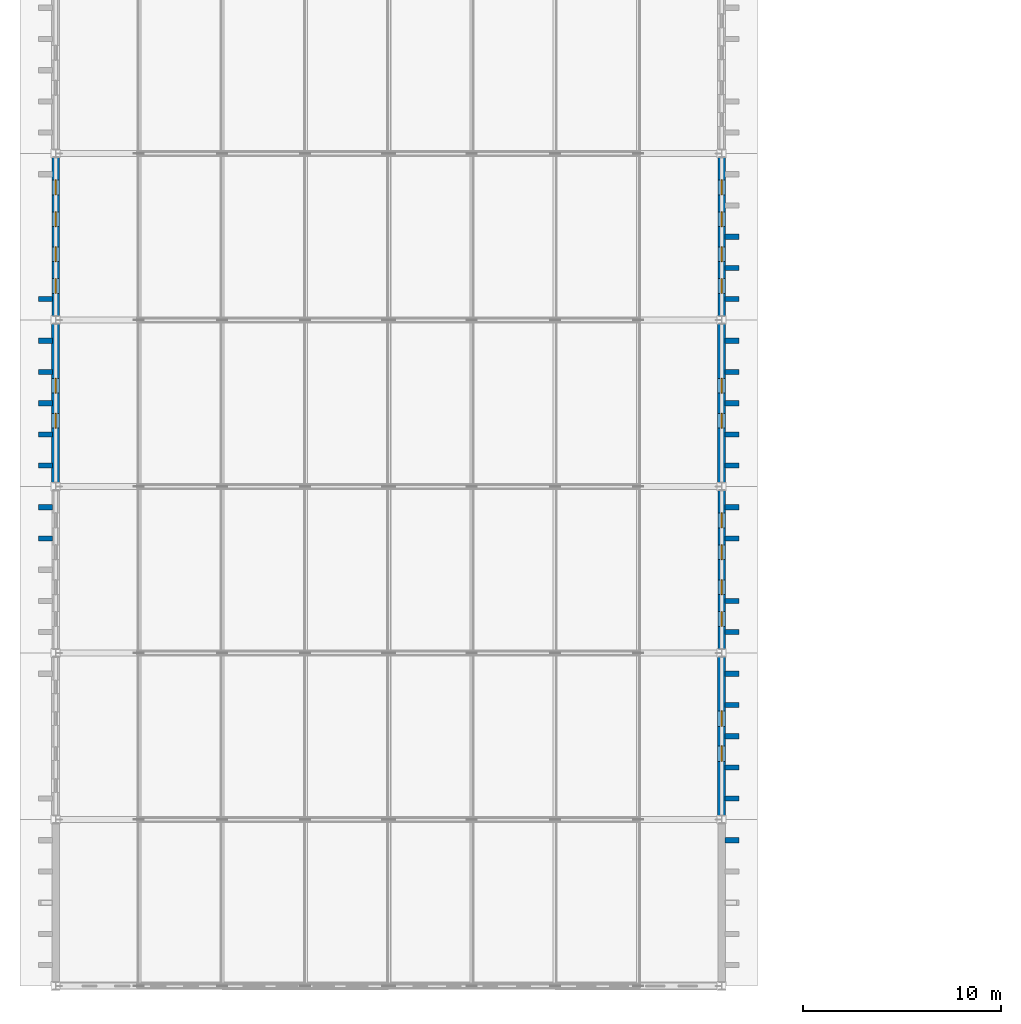
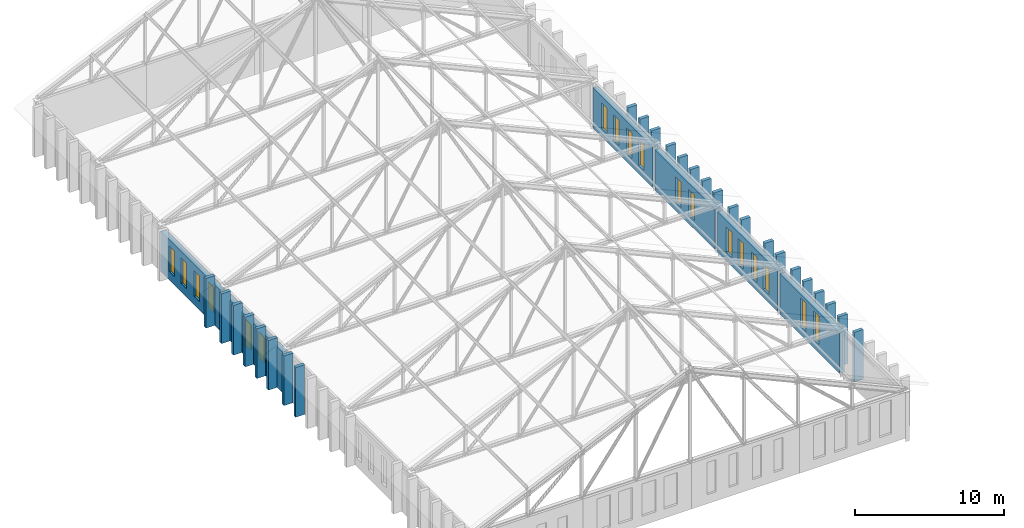
# One storey, part 83 of 110: 32 walls, 18 windows, 18 openings.
"""IFC4 building model written with IfcOpenShell, lengths in metres."""

import ifcopenshell
import ifcopenshell.guid

model = None  # the IFC model being written
_history = None  # IfcOwnerHistory: only IFC2X3 demands one
_inside = {}  # id of a spatial element -> (the spatial element, [elements in it])
_under = {}  # id of a project, library or spatial element -> (it, [spatial elements below it])
_declared = {}  # id of a project -> (the project, [libraries it declares])
_typed = {}  # id of a type object -> (the type object, [elements of that type])
_made_of = {}  # id of a material, layer set ... -> (it, [elements and type objects made of it])


def new_model(schema):
    """Start an empty IFC model of exactly this schema.

    Asked for "IFC4X3", IfcOpenShell would pick the latest addendum, in which some entities
    have other attributes; the version numbers below select the first issue.
    IFC2X3 requires an IfcOwnerHistory on every rooted entity: one is made here for all.
    """
    global model, _history
    if schema == "IFC4X3":
        model = ifcopenshell.file(schema_version=(4, 3, 0, 0))
    else:
        model = ifcopenshell.file(schema=schema)
    _inside.clear()
    _under.clear()
    _declared.clear()
    _typed.clear()
    _made_of.clear()
    _history = None
    if model.schema == "IFC2X3":
        org = make("IfcOrganization", Name="unknown")
        user = make(
            "IfcPersonAndOrganization",
            ThePerson=make("IfcPerson", FamilyName="unknown"),
            TheOrganization=org,
        )
        app = make(
            "IfcApplication",
            ApplicationDeveloper=org,
            Version="unknown",
            ApplicationFullName="unknown",
            ApplicationIdentifier="unknown",
        )
        _history = make(
            "IfcOwnerHistory",
            OwningUser=user,
            OwningApplication=app,
            ChangeAction="ADDED",
            CreationDate=0,
        )
    return model


def make(cls, **values):
    """One entity of the class cls with the attributes given. An attribute that is None is left unset."""
    return model.create_entity(
        cls, **{name: value for name, value in values.items() if value is not None}
    )


def rooted(cls, **values):
    """An entity with a GlobalId (a new one), such as an element, a storey or a relation."""
    return make(cls, GlobalId=ifcopenshell.guid.new(), OwnerHistory=_history, **values)


def si_unit(unit_type, name, prefix=None):
    """IfcSIUnit, for example si_unit("LENGTHUNIT", "METRE", prefix="MILLI")."""
    return make("IfcSIUnit", UnitType=unit_type, Prefix=prefix, Name=name)


def assignment(units):
    """IfcUnitAssignment: the units of a project."""
    return None if units is None else make("IfcUnitAssignment", Units=units)


def point(xyz):
    """IfcCartesianPoint."""
    return None if xyz is None else make("IfcCartesianPoint", Coordinates=xyz)


def direction(xyz):
    """IfcDirection."""
    return None if xyz is None else make("IfcDirection", DirectionRatios=xyz)


def frame(location, z_axis=None, x_axis=None):
    """IfcAxis2Placement3D, a coordinate frame: its origin and axes. An axis left out is left unset."""
    return make(
        "IfcAxis2Placement3D",
        Location=point(location),
        Axis=direction(z_axis),
        RefDirection=direction(x_axis),
    )


def frame_2d(location, x_axis=None):
    """IfcAxis2Placement2D, a coordinate frame in the plane: its origin and x axis."""
    return make(
        "IfcAxis2Placement2D", Location=point(location), RefDirection=direction(x_axis)
    )


def origin():
    """The frame at (0, 0, 0) with its axes left unset."""
    return frame((0.0, 0.0, 0.0))


def place(relative_to, where):
    """IfcLocalPlacement: puts the frame where relative to a parent placement (None: the world)."""
    return make(
        "IfcLocalPlacement", PlacementRelTo=relative_to, RelativePlacement=where
    )


def context(
    kind, dimensions, precision=None, world=None, true_north=None, identifier=None
):
    """IfcGeometricRepresentationContext, for example the 3D "Model" context."""
    return make(
        "IfcGeometricRepresentationContext",
        ContextIdentifier=identifier,
        ContextType=kind,
        CoordinateSpaceDimension=dimensions,
        Precision=precision,
        WorldCoordinateSystem=world,
        TrueNorth=true_north,
    )


def subcontext(parent, identifier, kind, view, scale=None):
    """IfcGeometricRepresentationSubContext, for example "Body" below "Model"."""
    return make(
        "IfcGeometricRepresentationSubContext",
        ContextIdentifier=identifier,
        ContextType=kind,
        ParentContext=parent,
        TargetScale=scale,
        TargetView=view,
    )


def project(units=None, contexts=None):
    """IfcProject with its units and contexts."""
    return rooted(
        "IfcProject",
        Name="project",
        RepresentationContexts=contexts,
        UnitsInContext=assignment(units),
    )


def spatial(cls, under=None, at=None, **own):
    """A site, building, storey or space (cls), placed at a placement, below another one or the project."""
    s = rooted(cls, ObjectPlacement=at, **own)
    if under is not None:
        _under.setdefault(under.id(), (under, []))[1].append(s)
    return s


def profile(cls, at=None, kind="AREA", **sizes):
    """A parametric profile (cls). Its sizes go by their IFC names, for example OverallWidth=200.0."""
    return make(cls, ProfileType=kind, Position=at, **sizes)


def rectangle(**sizes):
    """IfcRectangleProfileDef."""
    return profile("IfcRectangleProfileDef", **sizes)


def extrude(swept, where, along, depth):
    """IfcExtrudedAreaSolid: the profile swept, set in the frame where, extruded along a direction by depth."""
    return make(
        "IfcExtrudedAreaSolid",
        SweptArea=swept,
        Position=where,
        ExtrudedDirection=direction(along),
        Depth=depth,
    )


def shape(context_of_items, identifier, shape_type, items):
    """IfcShapeRepresentation: the items that make up one representation, for example the "Body"."""
    return make(
        "IfcShapeRepresentation",
        ContextOfItems=context_of_items,
        RepresentationIdentifier=identifier,
        RepresentationType=shape_type,
        Items=items,
    )


def material(Name=None, Category=None):
    """IfcMaterial."""
    return make("IfcMaterial", Name=Name, Category=Category)


def layer(
    of_material, thickness, ventilated=None, Name=None, Category=None, Priority=None
):
    """IfcMaterialLayer: one layer of a wall or slab, of a material (None: an air gap)."""
    return make(
        "IfcMaterialLayer",
        Material=of_material,
        LayerThickness=thickness,
        IsVentilated=ventilated,
        Name=Name,
        Category=Category,
        Priority=Priority,
    )


def layer_set(layers, Name=None):
    """IfcMaterialLayerSet."""
    return make("IfcMaterialLayerSet", MaterialLayers=layers, LayerSetName=Name)


def made_of(thing, what):
    """Note that an element or type object is made of a material, layer set ...; save() writes the relation."""
    if what is not None:
        _made_of.setdefault(what.id(), (what, []))[1].append(thing)
    return thing


def type_object(cls, material=None, **own):
    """A type object (cls), such as IfcWallType, which elements share."""
    return made_of(rooted(cls, **own), material)


def element(
    cls,
    number,
    at=None,
    inside=None,
    cuts=None,
    type_object=None,
    material=None,
    context=None,
    identifier="Body",
    shape_type=None,
    held_by="IfcProductDefinitionShape",
    body=None,
    shapes=None,
    **own,
):
    """One element of the class cls, such as IfcWall. Its Tag is "e" and its number.

    at: its placement. inside: the storey or other place that contains it. cuts: it is an
    opening in that element (IfcRelVoidsElement). A single representation is given by context,
    identifier, shape_type and body (its items); several are given by shapes. held_by: the class
    of the entity that holds the representations. save() writes the other relations.
    """
    e = rooted(cls, Tag="e%d" % number, ObjectPlacement=at, **own)
    if body is not None:
        shapes = [shape(context, identifier, shape_type, body)]
    if shapes is not None:
        e.Representation = make(held_by, Representations=shapes)
    if inside is not None:
        _inside.setdefault(inside.id(), (inside, []))[1].append(e)
    if cuts is not None:
        rooted(
            "IfcRelVoidsElement", RelatingBuildingElement=cuts, RelatedOpeningElement=e
        )
    if type_object is not None:
        _typed.setdefault(type_object.id(), (type_object, []))[1].append(e)
    return made_of(e, material)


def fill(opening, filler):
    """IfcRelFillsElement: the door or window that sits in an opening."""
    return rooted(
        "IfcRelFillsElement",
        RelatingOpeningElement=opening,
        RelatedBuildingElement=filler,
    )


def aggregate(whole, parts):
    """IfcRelAggregates: a whole, such as a stair, and the parts it consists of."""
    return rooted("IfcRelAggregates", RelatingObject=whole, RelatedObjects=parts)


def save(model, path):
    """Write the relations noted so far, then the file.

    IfcRelAggregates (storeys below a building ...), IfcRelContainedInSpatialStructure (elements
    in a storey), IfcRelDefinesByType, IfcRelAssociatesMaterial and IfcRelDeclares: one each for
    every whole, place, type object, material and project.
    """
    for whole, parts in _under.values():
        aggregate(whole, parts)
    for where, things in _inside.values():
        rooted(
            "IfcRelContainedInSpatialStructure",
            RelatedElements=things,
            RelatingStructure=where,
        )
    for kind, things in _typed.values():
        rooted("IfcRelDefinesByType", RelatedObjects=things, RelatingType=kind)
    for what, things in _made_of.values():
        rooted("IfcRelAssociatesMaterial", RelatedObjects=things, RelatingMaterial=what)
    for by, libraries in _declared.values():
        rooted("IfcRelDeclares", RelatingContext=by, RelatedDefinitions=libraries)
    model.write(path)


model = new_model("IFC4")

# Units and contexts
model_context = context("Model", 3, precision=1e-05, world=origin(), true_north=direction((0.0, 1.0)))
body_context = subcontext(model_context, "Body", "Model", "MODEL_VIEW")
ifc_project = project(units=[si_unit("LENGTHUNIT", "METRE"), si_unit("AREAUNIT", "SQUARE_METRE"), si_unit("VOLUMEUNIT", "CUBIC_METRE"), si_unit("PLANEANGLEUNIT", "RADIAN"), si_unit("MASSUNIT", "GRAM", prefix="KILO")], contexts=[model_context])

# Site, building, storey
site_placement = place(None, origin())
site = spatial("IfcSite", under=ifc_project, at=site_placement, CompositionType="ELEMENT")
building_placement = place(site_placement, origin())
building = spatial("IfcBuilding", under=site, at=building_placement, Name="Kveldsbrygga Polytechnic", CompositionType="ELEMENT")
storey_placement = place(building_placement, frame((0.0, 0.0, 9.860107421875)))
storey = spatial("IfcBuildingStorey", under=building, at=storey_placement, Name="L02", CompositionType="ELEMENT", Elevation=9.860107421875)

# Wall, openings, windows
ifc_material_1 = material(Name="Fired clay brick masonry M10", Category="masonry")
ifc_layer_1 = layer(ifc_material_1, 0.3798828125)
ifc_layer_set_1 = layer_set([ifc_layer_1], Name="Fired clay brick masonry M10")
wall_type_1 = type_object("IfcWallType", Name="EW-BRICK-380", PredefinedType="SOLIDWALL", material=ifc_layer_set_1)
wall_1_placement = place(storey_placement, frame((0.0, 58.985107421875, 0.0), z_axis=(0.0, 0.0, 1.0), x_axis=(0.0, 1.0, 0.0)))
wall_1 = element("IfcWall", 1, at=wall_1_placement, inside=storey, type_object=wall_type_1, Name="Exterior Brick Wall EW-L02-Y-00-07", PredefinedType="SOLIDWALL", context=body_context, shape_type="SweptSolid", body=[
    extrude(rectangle(XDim=8.02978515625, YDim=0.3798828125, at=frame_2d((4.014892578125, 0.0))), origin(), (0.0, 0.0, 1.0), 3.329833984375),
])
opening_1_placement = place(wall_1_placement, frame((1.150634765625, 0.0, 0.699951171875)))
opening_1 = element("IfcOpeningElement", 2, at=opening_1_placement, cuts=wall_1, Name="Opening W-27", PredefinedType="OPENING", context=body_context, shape_type="SweptSolid", body=[
    extrude(rectangle(XDim=0.75, YDim=2.10009765625, at=frame_2d((0.375, 1.050048828125))), frame((0.0, 0.199951171875, 0.0), z_axis=(0.0, -1.0, 0.0), x_axis=(1.0, 0.0, 0.0)), (0.0, 0.0, 1.0), 0.39990234375),
])
opening_2_placement = place(wall_1_placement, frame((2.756591796875, 0.0, 0.699951171875)))
opening_2 = element("IfcOpeningElement", 3, at=opening_2_placement, cuts=wall_1, Name="Opening W-27", PredefinedType="OPENING", context=body_context, shape_type="SweptSolid", body=[
    extrude(rectangle(XDim=0.75, YDim=2.10009765625, at=frame_2d((0.375, 1.050048828125))), frame((0.0, 0.199951171875, 0.0), z_axis=(0.0, -1.0, 0.0), x_axis=(1.0, 0.0, 0.0)), (0.0, 0.0, 1.0), 0.39990234375),
])
opening_3_placement = place(wall_1_placement, frame((4.523193359375, 0.0, 0.699951171875)))
opening_3 = element("IfcOpeningElement", 4, at=opening_3_placement, cuts=wall_1, Name="Opening W-27", PredefinedType="OPENING", context=body_context, shape_type="SweptSolid", body=[
    extrude(rectangle(XDim=0.75, YDim=2.10009765625, at=frame_2d((0.375, 1.050048828125))), frame((0.0, 0.199951171875, 0.0), z_axis=(0.0, -1.0, 0.0), x_axis=(1.0, 0.0, 0.0)), (0.0, 0.0, 1.0), 0.39990234375),
])
opening_4_placement = place(wall_1_placement, frame((6.12939453125, 0.0, 0.699951171875)))
opening_4 = element("IfcOpeningElement", 5, at=opening_4_placement, cuts=wall_1, Name="Opening W-27", PredefinedType="OPENING", context=body_context, shape_type="SweptSolid", body=[
    extrude(rectangle(XDim=0.75, YDim=2.10009765625, at=frame_2d((0.375, 1.050048828125))), frame((0.0, 0.199951171875, 0.0), z_axis=(0.0, -1.0, 0.0), x_axis=(1.0, 0.0, 0.0)), (0.0, 0.0, 1.0), 0.39990234375),
])
ifc_material_2 = material(Name="Insulated triple low-E glass", Category="glass")
window_type_1 = type_object("IfcWindowType", Name="WN-ATTIC-075x210", PartitioningType="DOUBLE_PANEL_VERTICAL", PredefinedType="WINDOW", material=ifc_material_2)
window_1_placement = place(opening_1_placement, origin())
window_1 = element("IfcWindow", 6, at=window_1_placement, inside=storey, type_object=window_type_1, Name="Gothic Lancet Window WIN-L02-Y-00-07-1", OverallHeight=2.10009765625, OverallWidth=0.75, PartitioningType="DOUBLE_PANEL_VERTICAL", PredefinedType="WINDOW", context=body_context, shape_type="SweptSolid", body=[
    extrude(rectangle(XDim=0.75, YDim=2.10009765625, at=frame_2d((0.375, 1.050048828125))), frame((0.0, 0.030029296875, 0.0), z_axis=(0.0, -1.0, 0.0), x_axis=(1.0, 0.0, 0.0)), (0.0, 0.0, 1.0), 0.06005859375),
])
fill(opening_1, window_1)
window_2_placement = place(opening_2_placement, origin())
window_2 = element("IfcWindow", 7, at=window_2_placement, inside=storey, type_object=window_type_1, Name="Gothic Lancet Window WIN-L02-Y-00-07-2", OverallHeight=2.10009765625, OverallWidth=0.75, PartitioningType="DOUBLE_PANEL_VERTICAL", PredefinedType="WINDOW", context=body_context, shape_type="SweptSolid", body=[
    extrude(rectangle(XDim=0.75, YDim=2.10009765625, at=frame_2d((0.375, 1.050048828125))), frame((0.0, 0.030029296875, 0.0), z_axis=(0.0, -1.0, 0.0), x_axis=(1.0, 0.0, 0.0)), (0.0, 0.0, 1.0), 0.06005859375),
])
fill(opening_2, window_2)
window_3_placement = place(opening_3_placement, origin())
window_3 = element("IfcWindow", 8, at=window_3_placement, inside=storey, type_object=window_type_1, Name="Gothic Lancet Window WIN-L02-Y-00-07-3", OverallHeight=2.10009765625, OverallWidth=0.75, PartitioningType="DOUBLE_PANEL_VERTICAL", PredefinedType="WINDOW", context=body_context, shape_type="SweptSolid", body=[
    extrude(rectangle(XDim=0.75, YDim=2.10009765625, at=frame_2d((0.375, 1.050048828125))), frame((0.0, 0.030029296875, 0.0), z_axis=(0.0, -1.0, 0.0), x_axis=(1.0, 0.0, 0.0)), (0.0, 0.0, 1.0), 0.06005859375),
])
fill(opening_3, window_3)
window_4_placement = place(opening_4_placement, origin())
window_4 = element("IfcWindow", 9, at=window_4_placement, inside=storey, type_object=window_type_1, Name="Gothic Lancet Window WIN-L02-Y-00-07-4", OverallHeight=2.10009765625, OverallWidth=0.75, PartitioningType="DOUBLE_PANEL_VERTICAL", PredefinedType="WINDOW", context=body_context, shape_type="SweptSolid", body=[
    extrude(rectangle(XDim=0.75, YDim=2.10009765625, at=frame_2d((0.375, 1.050048828125))), frame((0.0, 0.030029296875, 0.0), z_axis=(0.0, -1.0, 0.0), x_axis=(1.0, 0.0, 0.0)), (0.0, 0.0, 1.0), 0.06005859375),
])
fill(opening_4, window_4)

wall_2_placement = place(storey_placement, frame((33.60009765625, 42.18505859375, 0.0), z_axis=(0.0, 0.0, 1.0), x_axis=(0.0, 1.0, 0.0)))
wall_2 = element("IfcWall", 10, at=wall_2_placement, inside=storey, type_object=wall_type_1, Name="Exterior Brick Wall EW-L02-Y-04-05", PredefinedType="SOLIDWALL", context=body_context, shape_type="SweptSolid", body=[
    extrude(rectangle(XDim=8.030029296875, YDim=0.3798828125, at=frame_2d((4.01513671875, 0.0))), origin(), (0.0, 0.0, 1.0), 3.329833984375),
])
opening_5_placement = place(wall_2_placement, frame((1.150634765625, 0.0, 0.699951171875)))
opening_5 = element("IfcOpeningElement", 11, at=opening_5_placement, cuts=wall_2, Name="Opening W-27", PredefinedType="OPENING", context=body_context, shape_type="SweptSolid", body=[
    extrude(rectangle(XDim=0.75, YDim=2.10009765625, at=frame_2d((0.375, 1.050048828125))), frame((0.0, 0.199951171875, 0.0), z_axis=(0.0, -1.0, 0.0), x_axis=(1.0, 0.0, 0.0)), (0.0, 0.0, 1.0), 0.39990234375),
])
opening_6_placement = place(wall_2_placement, frame((2.756591796875, 0.0, 0.699951171875)))
opening_6 = element("IfcOpeningElement", 12, at=opening_6_placement, cuts=wall_2, Name="Opening W-27", PredefinedType="OPENING", context=body_context, shape_type="SweptSolid", body=[
    extrude(rectangle(XDim=0.75, YDim=2.10009765625, at=frame_2d((0.375, 1.050048828125))), frame((0.0, 0.199951171875, 0.0), z_axis=(0.0, -1.0, 0.0), x_axis=(1.0, 0.0, 0.0)), (0.0, 0.0, 1.0), 0.39990234375),
])
opening_7_placement = place(wall_2_placement, frame((4.523193359375, 0.0, 0.699951171875)))
opening_7 = element("IfcOpeningElement", 13, at=opening_7_placement, cuts=wall_2, Name="Opening W-27", PredefinedType="OPENING", context=body_context, shape_type="SweptSolid", body=[
    extrude(rectangle(XDim=0.75, YDim=2.10009765625, at=frame_2d((0.375, 1.050048828125))), frame((0.0, 0.199951171875, 0.0), z_axis=(0.0, -1.0, 0.0), x_axis=(1.0, 0.0, 0.0)), (0.0, 0.0, 1.0), 0.39990234375),
])
opening_8_placement = place(wall_2_placement, frame((6.12939453125, 0.0, 0.699951171875)))
opening_8 = element("IfcOpeningElement", 14, at=opening_8_placement, cuts=wall_2, Name="Opening W-27", PredefinedType="OPENING", context=body_context, shape_type="SweptSolid", body=[
    extrude(rectangle(XDim=0.75, YDim=2.10009765625, at=frame_2d((0.375, 1.050048828125))), frame((0.0, 0.199951171875, 0.0), z_axis=(0.0, -1.0, 0.0), x_axis=(1.0, 0.0, 0.0)), (0.0, 0.0, 1.0), 0.39990234375),
])
window_5_placement = place(opening_5_placement, origin())
window_5 = element("IfcWindow", 15, at=window_5_placement, inside=storey, type_object=window_type_1, Name="Gothic Lancet Window WIN-L02-Y-04-05-1", OverallHeight=2.10009765625, OverallWidth=0.75, PartitioningType="DOUBLE_PANEL_VERTICAL", PredefinedType="WINDOW", context=body_context, shape_type="SweptSolid", body=[
    extrude(rectangle(XDim=0.75, YDim=2.10009765625, at=frame_2d((0.375, 1.050048828125))), frame((0.0, 0.030029296875, 0.0), z_axis=(0.0, -1.0, 0.0), x_axis=(1.0, 0.0, 0.0)), (0.0, 0.0, 1.0), 0.06005859375),
])
fill(opening_5, window_5)
window_6_placement = place(opening_6_placement, origin())
window_6 = element("IfcWindow", 16, at=window_6_placement, inside=storey, type_object=window_type_1, Name="Gothic Lancet Window WIN-L02-Y-04-05-2", OverallHeight=2.10009765625, OverallWidth=0.75, PartitioningType="DOUBLE_PANEL_VERTICAL", PredefinedType="WINDOW", context=body_context, shape_type="SweptSolid", body=[
    extrude(rectangle(XDim=0.75, YDim=2.10009765625, at=frame_2d((0.375, 1.050048828125))), frame((0.0, 0.030029296875, 0.0), z_axis=(0.0, -1.0, 0.0), x_axis=(1.0, 0.0, 0.0)), (0.0, 0.0, 1.0), 0.06005859375),
])
fill(opening_6, window_6)
window_7_placement = place(opening_7_placement, origin())
window_7 = element("IfcWindow", 17, at=window_7_placement, inside=storey, type_object=window_type_1, Name="Gothic Lancet Window WIN-L02-Y-04-05-3", OverallHeight=2.10009765625, OverallWidth=0.75, PartitioningType="DOUBLE_PANEL_VERTICAL", PredefinedType="WINDOW", context=body_context, shape_type="SweptSolid", body=[
    extrude(rectangle(XDim=0.75, YDim=2.10009765625, at=frame_2d((0.375, 1.050048828125))), frame((0.0, 0.030029296875, 0.0), z_axis=(0.0, -1.0, 0.0), x_axis=(1.0, 0.0, 0.0)), (0.0, 0.0, 1.0), 0.06005859375),
])
fill(opening_7, window_7)
window_8_placement = place(opening_8_placement, origin())
window_8 = element("IfcWindow", 18, at=window_8_placement, inside=storey, type_object=window_type_1, Name="Gothic Lancet Window WIN-L02-Y-04-05-4", OverallHeight=2.10009765625, OverallWidth=0.75, PartitioningType="DOUBLE_PANEL_VERTICAL", PredefinedType="WINDOW", context=body_context, shape_type="SweptSolid", body=[
    extrude(rectangle(XDim=0.75, YDim=2.10009765625, at=frame_2d((0.375, 1.050048828125))), frame((0.0, 0.030029296875, 0.0), z_axis=(0.0, -1.0, 0.0), x_axis=(1.0, 0.0, 0.0)), (0.0, 0.0, 1.0), 0.06005859375),
])
fill(opening_8, window_8)

wall_3_placement = place(storey_placement, frame((33.60009765625, 58.985107421875, 0.0), z_axis=(0.0, 0.0, 1.0), x_axis=(0.0, 1.0, 0.0)))
wall_3 = element("IfcWall", 19, at=wall_3_placement, inside=storey, type_object=wall_type_1, Name="Exterior Brick Wall EW-L02-Y-04-07", PredefinedType="SOLIDWALL", context=body_context, shape_type="SweptSolid", body=[
    extrude(rectangle(XDim=8.02978515625, YDim=0.3798828125, at=frame_2d((4.014892578125, 0.0))), origin(), (0.0, 0.0, 1.0), 3.329833984375),
])
opening_9_placement = place(wall_3_placement, frame((1.150634765625, 0.0, 0.699951171875)))
opening_9 = element("IfcOpeningElement", 20, at=opening_9_placement, cuts=wall_3, Name="Opening W-27", PredefinedType="OPENING", context=body_context, shape_type="SweptSolid", body=[
    extrude(rectangle(XDim=0.75, YDim=2.10009765625, at=frame_2d((0.375, 1.050048828125))), frame((0.0, 0.199951171875, 0.0), z_axis=(0.0, -1.0, 0.0), x_axis=(1.0, 0.0, 0.0)), (0.0, 0.0, 1.0), 0.39990234375),
])
opening_10_placement = place(wall_3_placement, frame((2.756591796875, 0.0, 0.699951171875)))
opening_10 = element("IfcOpeningElement", 21, at=opening_10_placement, cuts=wall_3, Name="Opening W-27", PredefinedType="OPENING", context=body_context, shape_type="SweptSolid", body=[
    extrude(rectangle(XDim=0.75, YDim=2.10009765625, at=frame_2d((0.375, 1.050048828125))), frame((0.0, 0.199951171875, 0.0), z_axis=(0.0, -1.0, 0.0), x_axis=(1.0, 0.0, 0.0)), (0.0, 0.0, 1.0), 0.39990234375),
])
opening_11_placement = place(wall_3_placement, frame((4.523193359375, 0.0, 0.699951171875)))
opening_11 = element("IfcOpeningElement", 22, at=opening_11_placement, cuts=wall_3, Name="Opening W-27", PredefinedType="OPENING", context=body_context, shape_type="SweptSolid", body=[
    extrude(rectangle(XDim=0.75, YDim=2.10009765625, at=frame_2d((0.375, 1.050048828125))), frame((0.0, 0.199951171875, 0.0), z_axis=(0.0, -1.0, 0.0), x_axis=(1.0, 0.0, 0.0)), (0.0, 0.0, 1.0), 0.39990234375),
])
opening_12_placement = place(wall_3_placement, frame((6.12939453125, 0.0, 0.699951171875)))
opening_12 = element("IfcOpeningElement", 23, at=opening_12_placement, cuts=wall_3, Name="Opening W-27", PredefinedType="OPENING", context=body_context, shape_type="SweptSolid", body=[
    extrude(rectangle(XDim=0.75, YDim=2.10009765625, at=frame_2d((0.375, 1.050048828125))), frame((0.0, 0.199951171875, 0.0), z_axis=(0.0, -1.0, 0.0), x_axis=(1.0, 0.0, 0.0)), (0.0, 0.0, 1.0), 0.39990234375),
])
window_9_placement = place(opening_9_placement, origin())
window_9 = element("IfcWindow", 24, at=window_9_placement, inside=storey, type_object=window_type_1, Name="Gothic Lancet Window WIN-L02-Y-04-07-1", OverallHeight=2.10009765625, OverallWidth=0.75, PartitioningType="DOUBLE_PANEL_VERTICAL", PredefinedType="WINDOW", context=body_context, shape_type="SweptSolid", body=[
    extrude(rectangle(XDim=0.75, YDim=2.10009765625, at=frame_2d((0.375, 1.050048828125))), frame((0.0, 0.030029296875, 0.0), z_axis=(0.0, -1.0, 0.0), x_axis=(1.0, 0.0, 0.0)), (0.0, 0.0, 1.0), 0.06005859375),
])
fill(opening_9, window_9)
window_10_placement = place(opening_10_placement, origin())
window_10 = element("IfcWindow", 25, at=window_10_placement, inside=storey, type_object=window_type_1, Name="Gothic Lancet Window WIN-L02-Y-04-07-2", OverallHeight=2.10009765625, OverallWidth=0.75, PartitioningType="DOUBLE_PANEL_VERTICAL", PredefinedType="WINDOW", context=body_context, shape_type="SweptSolid", body=[
    extrude(rectangle(XDim=0.75, YDim=2.10009765625, at=frame_2d((0.375, 1.050048828125))), frame((0.0, 0.030029296875, 0.0), z_axis=(0.0, -1.0, 0.0), x_axis=(1.0, 0.0, 0.0)), (0.0, 0.0, 1.0), 0.06005859375),
])
fill(opening_10, window_10)
window_11_placement = place(opening_11_placement, origin())
window_11 = element("IfcWindow", 26, at=window_11_placement, inside=storey, type_object=window_type_1, Name="Gothic Lancet Window WIN-L02-Y-04-07-3", OverallHeight=2.10009765625, OverallWidth=0.75, PartitioningType="DOUBLE_PANEL_VERTICAL", PredefinedType="WINDOW", context=body_context, shape_type="SweptSolid", body=[
    extrude(rectangle(XDim=0.75, YDim=2.10009765625, at=frame_2d((0.375, 1.050048828125))), frame((0.0, 0.030029296875, 0.0), z_axis=(0.0, -1.0, 0.0), x_axis=(1.0, 0.0, 0.0)), (0.0, 0.0, 1.0), 0.06005859375),
])
fill(opening_11, window_11)
window_12_placement = place(opening_12_placement, origin())
window_12 = element("IfcWindow", 27, at=window_12_placement, inside=storey, type_object=window_type_1, Name="Gothic Lancet Window WIN-L02-Y-04-07-4", OverallHeight=2.10009765625, OverallWidth=0.75, PartitioningType="DOUBLE_PANEL_VERTICAL", PredefinedType="WINDOW", context=body_context, shape_type="SweptSolid", body=[
    extrude(rectangle(XDim=0.75, YDim=2.10009765625, at=frame_2d((0.375, 1.050048828125))), frame((0.0, 0.030029296875, 0.0), z_axis=(0.0, -1.0, 0.0), x_axis=(1.0, 0.0, 0.0)), (0.0, 0.0, 1.0), 0.06005859375),
])
fill(opening_12, window_12)

ifc_layer_2 = layer(ifc_material_1, 0.39990234375)
ifc_layer_set_2 = layer_set([ifc_layer_2], Name="Fired clay brick masonry M10")
wall_type_2 = type_object("IfcWallType", Name="EW-BRICK-400", PredefinedType="SOLIDWALL", material=ifc_layer_set_2)
wall_4_placement = place(storey_placement, frame((0.0, 50.5849609375, 0.0), z_axis=(0.0, 0.0, 1.0), x_axis=(0.0, 1.0, 0.0)))
wall_4 = element("IfcWall", 28, at=wall_4_placement, inside=storey, type_object=wall_type_2, Name="Exterior Brick Wall EW-L02-Y-00-06", PredefinedType="SOLIDWALL", context=body_context, shape_type="SweptSolid", body=[
    extrude(rectangle(XDim=8.030029296875, YDim=0.39990234375, at=frame_2d((4.01513671875, 0.0))), origin(), (0.0, 0.0, 1.0), 3.329833984375),
])
opening_13_placement = place(wall_4_placement, frame((2.756591796875, 0.0, 0.699951171875)))
opening_13 = element("IfcOpeningElement", 29, at=opening_13_placement, cuts=wall_4, Name="Opening W-27", PredefinedType="OPENING", context=body_context, shape_type="SweptSolid", body=[
    extrude(rectangle(XDim=0.75, YDim=2.10009765625, at=frame_2d((0.375, 1.050048828125))), frame((0.0, 0.2099609375, 0.0), z_axis=(0.0, -1.0, 0.0), x_axis=(1.0, 0.0, 0.0)), (0.0, 0.0, 1.0), 0.419921875),
])
opening_14_placement = place(wall_4_placement, frame((4.523193359375, 0.0, 0.699951171875)))
opening_14 = element("IfcOpeningElement", 30, at=opening_14_placement, cuts=wall_4, Name="Opening W-27", PredefinedType="OPENING", context=body_context, shape_type="SweptSolid", body=[
    extrude(rectangle(XDim=0.75, YDim=2.10009765625, at=frame_2d((0.375, 1.050048828125))), frame((0.0, 0.2099609375, 0.0), z_axis=(0.0, -1.0, 0.0), x_axis=(1.0, 0.0, 0.0)), (0.0, 0.0, 1.0), 0.419921875),
])
window_13_placement = place(opening_13_placement, origin())
window_13 = element("IfcWindow", 31, at=window_13_placement, inside=storey, type_object=window_type_1, Name="Gothic Lancet Window WIN-L02-Y-00-06-2", OverallHeight=2.10009765625, OverallWidth=0.75, PartitioningType="DOUBLE_PANEL_VERTICAL", PredefinedType="WINDOW", context=body_context, shape_type="SweptSolid", body=[
    extrude(rectangle(XDim=0.75, YDim=2.10009765625, at=frame_2d((0.375, 1.050048828125))), frame((0.0, 0.030029296875, 0.0), z_axis=(0.0, -1.0, 0.0), x_axis=(1.0, 0.0, 0.0)), (0.0, 0.0, 1.0), 0.06005859375),
])
fill(opening_13, window_13)
window_14_placement = place(opening_14_placement, origin())
window_14 = element("IfcWindow", 32, at=window_14_placement, inside=storey, type_object=window_type_1, Name="Gothic Lancet Window WIN-L02-Y-00-06-3", OverallHeight=2.10009765625, OverallWidth=0.75, PartitioningType="DOUBLE_PANEL_VERTICAL", PredefinedType="WINDOW", context=body_context, shape_type="SweptSolid", body=[
    extrude(rectangle(XDim=0.75, YDim=2.10009765625, at=frame_2d((0.375, 1.050048828125))), frame((0.0, 0.030029296875, 0.0), z_axis=(0.0, -1.0, 0.0), x_axis=(1.0, 0.0, 0.0)), (0.0, 0.0, 1.0), 0.06005859375),
])
fill(opening_14, window_14)

wall_5_placement = place(storey_placement, frame((33.60009765625, 33.784912109375, 0.0), z_axis=(0.0, 0.0, 1.0), x_axis=(0.0, 1.0, 0.0)))
wall_5 = element("IfcWall", 33, at=wall_5_placement, inside=storey, type_object=wall_type_2, Name="Exterior Brick Wall EW-L02-Y-04-04", PredefinedType="SOLIDWALL", context=body_context, shape_type="SweptSolid", body=[
    extrude(rectangle(XDim=8.030029296875, YDim=0.39990234375, at=frame_2d((4.01513671875, 0.0))), origin(), (0.0, 0.0, 1.0), 3.329833984375),
])
opening_15_placement = place(wall_5_placement, frame((2.74169921875, 0.0, 0.699951171875)))
opening_15 = element("IfcOpeningElement", 34, at=opening_15_placement, cuts=wall_5, Name="Opening W-08", PredefinedType="OPENING", context=body_context, shape_type="SweptSolid", body=[
    extrude(rectangle(XDim=0.780029296875, YDim=2.35009765625, at=frame_2d((0.39013671875, 1.175048828125))), frame((0.0, 0.2099609375, 0.0), z_axis=(0.0, -1.0, 0.0), x_axis=(1.0, 0.0, 0.0)), (0.0, 0.0, 1.0), 0.419921875),
])
opening_16_placement = place(wall_5_placement, frame((4.50830078125, 0.0, 0.699951171875)))
opening_16 = element("IfcOpeningElement", 35, at=opening_16_placement, cuts=wall_5, Name="Opening W-08", PredefinedType="OPENING", context=body_context, shape_type="SweptSolid", body=[
    extrude(rectangle(XDim=0.780029296875, YDim=2.35009765625, at=frame_2d((0.39013671875, 1.175048828125))), frame((0.0, 0.2099609375, 0.0), z_axis=(0.0, -1.0, 0.0), x_axis=(1.0, 0.0, 0.0)), (0.0, 0.0, 1.0), 0.419921875),
])
window_type_2 = type_object("IfcWindowType", Name="WN-LANC-078x235", PartitioningType="DOUBLE_PANEL_VERTICAL", PredefinedType="WINDOW", material=ifc_material_2)
window_15_placement = place(opening_15_placement, origin())
window_15 = element("IfcWindow", 36, at=window_15_placement, inside=storey, type_object=window_type_2, Name="Gothic Lancet Window WIN-L02-Y-04-04-2", OverallHeight=2.35009765625, OverallWidth=0.780029296875, PartitioningType="DOUBLE_PANEL_VERTICAL", PredefinedType="WINDOW", context=body_context, shape_type="SweptSolid", body=[
    extrude(rectangle(XDim=0.780029296875, YDim=2.35009765625, at=frame_2d((0.39013671875, 1.175048828125))), frame((0.0, 0.030029296875, 0.0), z_axis=(0.0, -1.0, 0.0), x_axis=(1.0, 0.0, 0.0)), (0.0, 0.0, 1.0), 0.06005859375),
])
fill(opening_15, window_15)
window_16_placement = place(opening_16_placement, origin())
window_16 = element("IfcWindow", 37, at=window_16_placement, inside=storey, type_object=window_type_2, Name="Gothic Lancet Window WIN-L02-Y-04-04-3", OverallHeight=2.35009765625, OverallWidth=0.780029296875, PartitioningType="DOUBLE_PANEL_VERTICAL", PredefinedType="WINDOW", context=body_context, shape_type="SweptSolid", body=[
    extrude(rectangle(XDim=0.780029296875, YDim=2.35009765625, at=frame_2d((0.39013671875, 1.175048828125))), frame((0.0, 0.030029296875, 0.0), z_axis=(0.0, -1.0, 0.0), x_axis=(1.0, 0.0, 0.0)), (0.0, 0.0, 1.0), 0.06005859375),
])
fill(opening_16, window_16)

wall_6_placement = place(storey_placement, frame((33.60009765625, 50.5849609375, 0.0), z_axis=(0.0, 0.0, 1.0), x_axis=(0.0, 1.0, 0.0)))
wall_6 = element("IfcWall", 38, at=wall_6_placement, inside=storey, type_object=wall_type_2, Name="Exterior Brick Wall EW-L02-Y-04-06", PredefinedType="SOLIDWALL", context=body_context, shape_type="SweptSolid", body=[
    extrude(rectangle(XDim=8.030029296875, YDim=0.39990234375, at=frame_2d((4.01513671875, 0.0))), origin(), (0.0, 0.0, 1.0), 3.329833984375),
])
opening_17_placement = place(wall_6_placement, frame((2.756591796875, 0.0, 0.699951171875)))
opening_17 = element("IfcOpeningElement", 39, at=opening_17_placement, cuts=wall_6, Name="Opening W-27", PredefinedType="OPENING", context=body_context, shape_type="SweptSolid", body=[
    extrude(rectangle(XDim=0.75, YDim=2.10009765625, at=frame_2d((0.375, 1.050048828125))), frame((0.0, 0.2099609375, 0.0), z_axis=(0.0, -1.0, 0.0), x_axis=(1.0, 0.0, 0.0)), (0.0, 0.0, 1.0), 0.419921875),
])
opening_18_placement = place(wall_6_placement, frame((4.523193359375, 0.0, 0.699951171875)))
opening_18 = element("IfcOpeningElement", 40, at=opening_18_placement, cuts=wall_6, Name="Opening W-27", PredefinedType="OPENING", context=body_context, shape_type="SweptSolid", body=[
    extrude(rectangle(XDim=0.75, YDim=2.10009765625, at=frame_2d((0.375, 1.050048828125))), frame((0.0, 0.2099609375, 0.0), z_axis=(0.0, -1.0, 0.0), x_axis=(1.0, 0.0, 0.0)), (0.0, 0.0, 1.0), 0.419921875),
])
window_17_placement = place(opening_17_placement, origin())
window_17 = element("IfcWindow", 41, at=window_17_placement, inside=storey, type_object=window_type_1, Name="Gothic Lancet Window WIN-L02-Y-04-06-2", OverallHeight=2.10009765625, OverallWidth=0.75, PartitioningType="DOUBLE_PANEL_VERTICAL", PredefinedType="WINDOW", context=body_context, shape_type="SweptSolid", body=[
    extrude(rectangle(XDim=0.75, YDim=2.10009765625, at=frame_2d((0.375, 1.050048828125))), frame((0.0, 0.030029296875, 0.0), z_axis=(0.0, -1.0, 0.0), x_axis=(1.0, 0.0, 0.0)), (0.0, 0.0, 1.0), 0.06005859375),
])
fill(opening_17, window_17)
window_18_placement = place(opening_18_placement, origin())
window_18 = element("IfcWindow", 42, at=window_18_placement, inside=storey, type_object=window_type_1, Name="Gothic Lancet Window WIN-L02-Y-04-06-3", OverallHeight=2.10009765625, OverallWidth=0.75, PartitioningType="DOUBLE_PANEL_VERTICAL", PredefinedType="WINDOW", context=body_context, shape_type="SweptSolid", body=[
    extrude(rectangle(XDim=0.75, YDim=2.10009765625, at=frame_2d((0.375, 1.050048828125))), frame((0.0, 0.030029296875, 0.0), z_axis=(0.0, -1.0, 0.0), x_axis=(1.0, 0.0, 0.0)), (0.0, 0.0, 1.0), 0.06005859375),
])
fill(opening_18, window_18)

# Walls
ifc_layer_3 = layer(ifc_material_1, 0.260009765625)
ifc_layer_set_3 = layer_set([ifc_layer_3], Name="Fired clay brick masonry M10")
wall_type_3 = type_object("IfcWallType", Name="EW-BUTT-260", PredefinedType="SOLIDWALL", material=ifc_layer_set_3)
for number, where, z_axis, x_axis, name in (
    (43, (-0.1650390625, 47.780029296875, 0.0), (0.0, 0.0, 1.0), (-1.0, 0.0, 0.0), "Gothic Brick Buttress Pier BUTT-L02-Y-00-05-4"),
    (44, (-0.1650390625, 49.35009765625, 0.0), (0.0, 0.0, 1.0), (-1.0, 0.0, 0.0), "Gothic Brick Buttress Pier BUTT-L02-Y-00-05-5"),
    (45, (-0.1650390625, 51.449951171875, 0.0), (0.0, 0.0, 1.0), (-1.0, 0.0, 0.0), "Gothic Brick Buttress Pier BUTT-L02-Y-00-06-1"),
    (46, (-0.1650390625, 53.02001953125, 0.0), (0.0, 0.0, 1.0), (-1.0, 0.0, 0.0), "Gothic Brick Buttress Pier BUTT-L02-Y-00-06-2"),
    (47, (-0.1650390625, 54.60009765625, 0.0), (0.0, 0.0, 1.0), (-1.0, 0.0, 0.0), "Gothic Brick Buttress Pier BUTT-L02-Y-00-06-3"),
    (48, (-0.1650390625, 56.179931640625, 0.0), (0.0, 0.0, 1.0), (-1.0, 0.0, 0.0), "Gothic Brick Buttress Pier BUTT-L02-Y-00-06-4"),
    (49, (-0.1650390625, 57.75, 0.0), (0.0, 0.0, 1.0), (-1.0, 0.0, 0.0), "Gothic Brick Buttress Pier BUTT-L02-Y-00-06-5"),
    (50, (-0.1650390625, 59.85009765625, 0.0), (0.0, 0.0, 1.0), (-1.0, 0.0, 0.0), "Gothic Brick Buttress Pier BUTT-L02-Y-00-07-1"),
):
    element("IfcWall", number, at=place(storey_placement, frame(where, z_axis=z_axis, x_axis=x_axis)), inside=storey, type_object=wall_type_3, Name=name, PredefinedType="SOLIDWALL", context=body_context, shape_type="SweptSolid", body=[
        extrude(rectangle(XDim=0.699951171875, YDim=0.260009765625, at=frame_2d((0.35009765625, 0.0))), origin(), (0.0, 0.0, 1.0), 4.079833984375),
    ])
for number, where, z_axis, x_axis, name in (
    (51, (33.764892578125, 32.550048828125, 0.0), (0.0, 0.0, 1.0), (1.0, 0.0, 0.0), "Gothic Brick Buttress Pier BUTT-L02-Y-04-03-5"),
    (52, (33.764892578125, 34.64990234375, 0.0), (0.0, 0.0, 1.0), (1.0, 0.0, 0.0), "Gothic Brick Buttress Pier BUTT-L02-Y-04-04-1"),
    (53, (33.764892578125, 36.219970703125, 0.0), (0.0, 0.0, 1.0), (1.0, 0.0, 0.0), "Gothic Brick Buttress Pier BUTT-L02-Y-04-04-2"),
    (54, (33.764892578125, 37.800048828125, 0.0), (0.0, 0.0, 1.0), (1.0, 0.0, 0.0), "Gothic Brick Buttress Pier BUTT-L02-Y-04-04-3"),
    (55, (33.764892578125, 39.3798828125, 0.0), (0.0, 0.0, 1.0), (1.0, 0.0, 0.0), "Gothic Brick Buttress Pier BUTT-L02-Y-04-04-4"),
    (56, (33.764892578125, 40.949951171875, 0.0), (0.0, 0.0, 1.0), (1.0, 0.0, 0.0), "Gothic Brick Buttress Pier BUTT-L02-Y-04-04-5"),
    (57, (33.764892578125, 43.050048828125, 0.0), (0.0, 0.0, 1.0), (1.0, 0.0, 0.0), "Gothic Brick Buttress Pier BUTT-L02-Y-04-05-1"),
    (58, (33.764892578125, 44.6201171875, 0.0), (0.0, 0.0, 1.0), (1.0, 0.0, 0.0), "Gothic Brick Buttress Pier BUTT-L02-Y-04-05-2"),
    (59, (33.764892578125, 47.780029296875, 0.0), (0.0, 0.0, 1.0), (1.0, 0.0, 0.0), "Gothic Brick Buttress Pier BUTT-L02-Y-04-05-4"),
    (60, (33.764892578125, 49.35009765625, 0.0), (0.0, 0.0, 1.0), (1.0, 0.0, 0.0), "Gothic Brick Buttress Pier BUTT-L02-Y-04-05-5"),
    (61, (33.764892578125, 51.449951171875, 0.0), (0.0, 0.0, 1.0), (1.0, 0.0, 0.0), "Gothic Brick Buttress Pier BUTT-L02-Y-04-06-1"),
    (62, (33.764892578125, 53.02001953125, 0.0), (0.0, 0.0, 1.0), (1.0, 0.0, 0.0), "Gothic Brick Buttress Pier BUTT-L02-Y-04-06-2"),
    (63, (33.764892578125, 54.60009765625, 0.0), (0.0, 0.0, 1.0), (1.0, 0.0, 0.0), "Gothic Brick Buttress Pier BUTT-L02-Y-04-06-3"),
    (64, (33.764892578125, 56.179931640625, 0.0), (0.0, 0.0, 1.0), (1.0, 0.0, 0.0), "Gothic Brick Buttress Pier BUTT-L02-Y-04-06-4"),
    (65, (33.764892578125, 57.75, 0.0), (0.0, 0.0, 1.0), (1.0, 0.0, 0.0), "Gothic Brick Buttress Pier BUTT-L02-Y-04-06-5"),
    (66, (33.764892578125, 59.85009765625, 0.0), (0.0, 0.0, 1.0), (1.0, 0.0, 0.0), "Gothic Brick Buttress Pier BUTT-L02-Y-04-07-1"),
    (67, (33.764892578125, 61.419921875, 0.0), (0.0, 0.0, 1.0), (1.0, 0.0, 0.0), "Gothic Brick Buttress Pier BUTT-L02-Y-04-07-2"),
    (68, (33.764892578125, 63.0, 0.0), (0.0, 0.0, 1.0), (1.0, 0.0, 0.0), "Gothic Brick Buttress Pier BUTT-L02-Y-04-07-3"),
):
    element("IfcWall", number, at=place(storey_placement, frame(where, z_axis=z_axis, x_axis=x_axis)), inside=storey, type_object=wall_type_3, Name=name, PredefinedType="SOLIDWALL", context=body_context, shape_type="SweptSolid", body=[
        extrude(rectangle(XDim=0.7001953125, YDim=0.260009765625, at=frame_2d((0.35009765625, 0.0))), origin(), (0.0, 0.0, 1.0), 4.079833984375),
    ])

save(model, "model.ifc")
